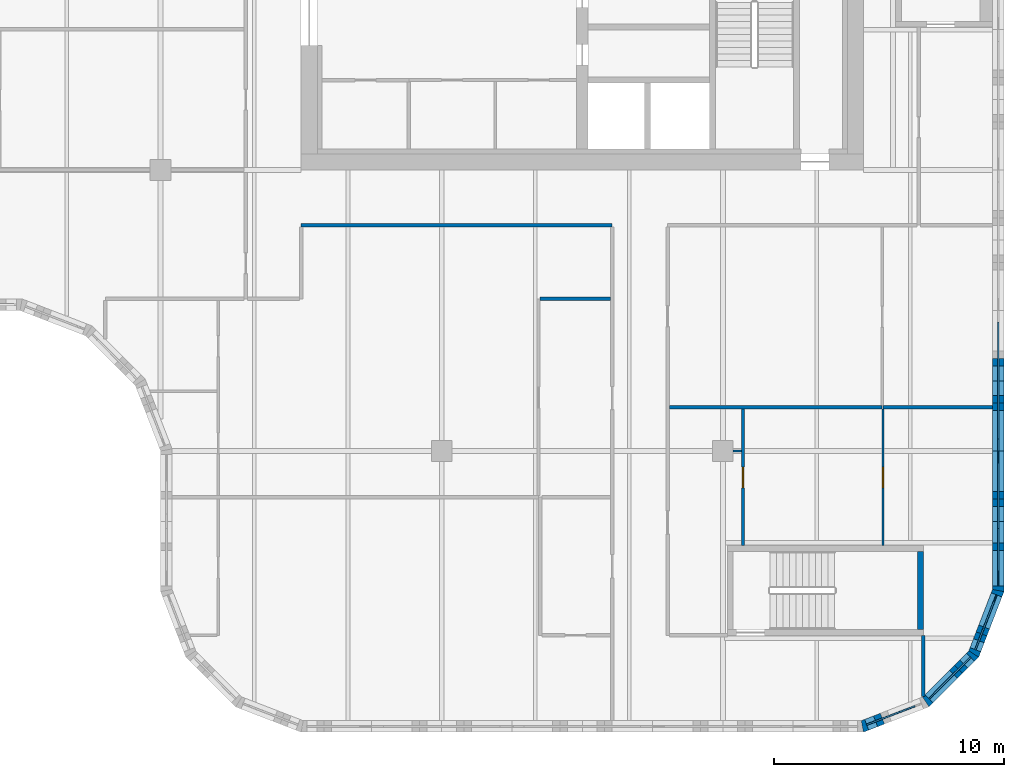
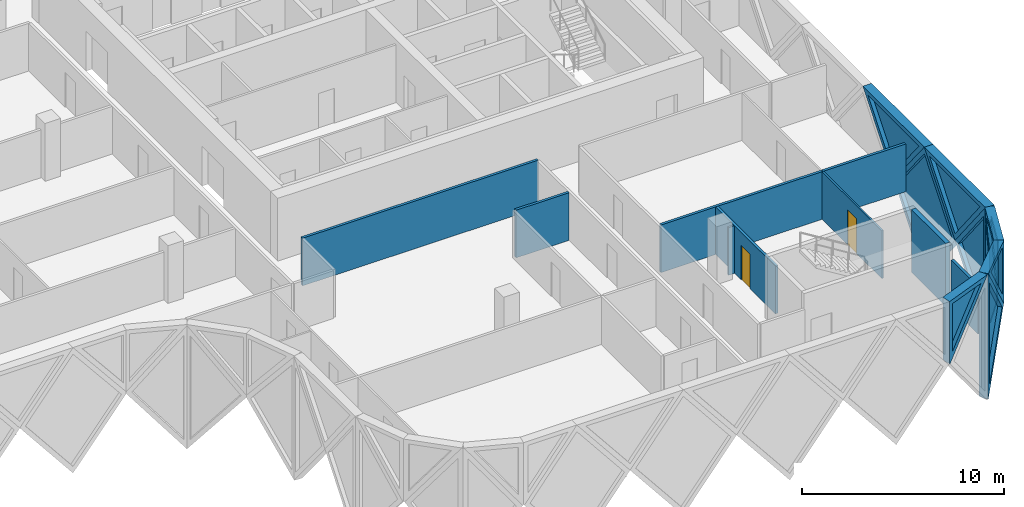
# One storey, part 7 of 15: 18 walls, 9 plates, 2 doors, 11 openings.
"""IFC4 building model written with IfcOpenShell, lengths in metres."""

from ifc_helpers import new_model, si_unit, direction, frame, frame_2d, origin, place, context, subcontext, project, spatial, polyline, rectangle, outline, extrude, faceted_brep, source, transform, mapped, material, layer, layer_set, type_object, element, fill, save


model = new_model("IFC4")

# Units and contexts
model_context = context("Model", 3, precision=1e-05, world=origin(), true_north=direction((0.0, 1.0)))
body_context = subcontext(model_context, "Body", "Model", "MODEL_VIEW")
ifc_project = project(units=[si_unit("LENGTHUNIT", "METRE"), si_unit("AREAUNIT", "SQUARE_METRE"), si_unit("VOLUMEUNIT", "CUBIC_METRE"), si_unit("PLANEANGLEUNIT", "RADIAN"), si_unit("MASSUNIT", "GRAM", prefix="KILO")], contexts=[model_context])

# Site, building, storey
site_placement = place(None, origin())
site = spatial("IfcSite", under=ifc_project, at=site_placement, CompositionType="ELEMENT")
building_placement = place(site_placement, origin())
building = spatial("IfcBuilding", under=site, at=building_placement, Name="Tessera Gate Towers", CompositionType="ELEMENT")
storey_placement = place(building_placement, frame((0.0, 0.0, 146.800048828125)))
storey = spatial("IfcBuildingStorey", under=building, at=storey_placement, Name="L36", CompositionType="ELEMENT", Elevation=146.800048828125)

# Walls
ifc_material_1 = material(Name="Concrete C40/50", Category="concrete")
ifc_layer_1 = layer(ifc_material_1, 0.25)
ifc_layer_set_1 = layer_set([ifc_layer_1], Name="CORE ENCLOSURE WALL 250")
wall_type_1 = type_object("IfcWallType", Name="CORE ENCLOSURE WALL 250", PredefinedType="SOLIDWALL", material=ifc_layer_set_1)
wall_1_placement = place(storey_placement, frame((57.375, 7.85009765625, 0.0), z_axis=(0.0, 0.0, 1.0), x_axis=(0.0, -1.0, 0.0)))
element("IfcWall", 1, at=wall_1_placement, inside=storey, type_object=wall_type_1, Name="L36 ST4 enclosure wall", PredefinedType="SOLIDWALL", context=body_context, shape_type="SweptSolid", body=[
    extrude(rectangle(XDim=3.400146484375, YDim=0.25, at=frame_2d((1.7001953125, 0.0))), origin(), (0.0, 0.0, 1.0), 3.800048828125),
])
ifc_material_2 = material(Name="Gypsum board on steel studs, mineral wool", Category="steel")
ifc_layer_2 = layer(ifc_material_2, 0.14990234375)
ifc_layer_set_2 = layer_set([ifc_layer_2], Name="CORRIDOR WALL 150")
wall_type_2 = type_object("IfcWallType", Name="CORRIDOR WALL 150", PredefinedType="PARTITIONING", material=ifc_layer_set_2)
wall_2_placement = place(storey_placement, frame((57.5, 1.55908203125, 0.0), z_axis=(0.0, 0.0, 1.0), x_axis=(0.0, 1.0, 0.0)))
element("IfcWall", 2, at=wall_2_placement, inside=storey, type_object=wall_type_2, Name="T1-L36-PW-002", PredefinedType="PARTITIONING", context=body_context, shape_type="SweptSolid", body=[
    extrude(rectangle(XDim=2.640869140625, YDim=0.14990234375, at=frame_2d((1.3203125, 0.0))), origin(), (0.0, 0.0, 1.0), 2.887939453125),
])
wall_3_placement = place(storey_placement, frame((30.5, 22.0, 0.0), z_axis=(0.0, 0.0, 1.0), x_axis=(1.0, 0.0, 0.0)))
element("IfcWall", 3, at=wall_3_placement, inside=storey, type_object=wall_type_2, Name="T1-L36-PW-027", PredefinedType="PARTITIONING", context=body_context, shape_type="SweptSolid", body=[
    extrude(rectangle(XDim=13.5, YDim=0.14990234375, at=frame_2d((6.75, 0.0))), origin(), (0.0, 0.0, 1.0), 2.887939453125),
])

# Wall, opening, door
ifc_material_3 = material(Name="Gypsum board on steel studs", Category="steel")
ifc_layer_3 = layer(ifc_material_3, 0.10009765625)
ifc_layer_set_3 = layer_set([ifc_layer_3], Name="PARTITION 100")
wall_type_3 = type_object("IfcWallType", Name="PARTITION 100", PredefinedType="PARTITIONING", material=ifc_layer_set_3)
wall_4_placement = place(storey_placement, frame((55.7470703125, 14.02392578125, 0.0), z_axis=(0.0, 0.0, 1.0), x_axis=(0.0, -1.0, 0.0)))
wall_4 = element("IfcWall", 4, at=wall_4_placement, inside=storey, type_object=wall_type_3, Name="T1-L36-PW-010", PredefinedType="PARTITIONING", context=body_context, shape_type="SweptSolid", body=[
    extrude(rectangle(XDim=5.923828125, YDim=0.10009765625, at=frame_2d((2.9619140625, 0.0))), origin(), (0.0, 0.0, 1.0), 2.887939453125),
])
shared_shape_1 = source(origin(), body_context, "Body", "SweptSolid", [
    extrude(rectangle(XDim=0.89990234375, YDim=2.10009765625, at=frame_2d((0.449951171875, 1.050048828125))), frame((0.0, 0.06005859375, 0.0), z_axis=(0.0, -1.0, 0.0), x_axis=(1.0, 0.0, 0.0)), (0.0, 0.0, 1.0), 0.1201171875),
])
opening_1_placement = place(wall_4_placement, frame((2.52392578125, 0.0, 0.0)))
opening_1 = element("IfcOpeningElement", 5, at=opening_1_placement, cuts=wall_4, Name="Opening D190-A13-07", PredefinedType="OPENING", context=body_context, shape_type="MappedRepresentation", body=[
    mapped(shared_shape_1, transform((0.0, 0.0, 0.0), scale=1.0)),
])
ifc_material_4 = material(Name="Timber door leaf in steel frame", Category="steel")
door_type = type_object("IfcDoorType", Name="INTERNAL DOOR 900 NOT RATED", OperationType="NOTDEFINED", PredefinedType="DOOR", material=ifc_material_4)
shared_shape_2 = source(origin(), body_context, "Body", "SweptSolid", [
    extrude(rectangle(XDim=0.89990234375, YDim=2.10009765625, at=frame_2d((0.449951171875, 1.050048828125))), frame((0.0, 0.02490234375, 0.0), z_axis=(0.0, -1.0, 0.0), x_axis=(1.0, 0.0, 0.0)), (0.0, 0.0, 1.0), 0.050048828125),
])
door_1_placement = place(opening_1_placement, origin())
door_1 = element("IfcDoor", 6, at=door_1_placement, inside=storey, type_object=door_type, Name="T1-L36-PD-012", OperationType="SINGLE_SWING_RIGHT", OverallHeight=2.10009765625, OverallWidth=0.89990234375, PredefinedType="DOOR", context=body_context, shape_type="MappedRepresentation", body=[
    mapped(shared_shape_2, transform((0.0, 0.0, 0.0), scale=1.0)),
])
fill(opening_1, door_1)

# Wall
wall_5_placement = place(storey_placement, frame((49.25, 12.199951171875, 0.0), z_axis=(0.0, 0.0, 1.0), x_axis=(1.0, 0.0, 0.0)))
element("IfcWall", 7, at=wall_5_placement, inside=storey, type_object=wall_type_3, Name="T1-L36-PW-015", PredefinedType="PARTITIONING", context=body_context, shape_type="SweptSolid", body=[
    extrude(rectangle(XDim=0.35009765625, YDim=0.10009765625, at=frame_2d((0.175048828125, 0.0))), origin(), (0.0, 0.0, 1.0), 2.887939453125),
])

# Wall, opening, door
ifc_material_5 = material(Name="Gypsum board on steel studs, mineral wool", Category="steel")
ifc_layer_4 = layer(ifc_material_5, 0.14990234375)
ifc_layer_set_4 = layer_set([ifc_layer_4], Name="TENANCY WALL 150")
wall_type_4 = type_object("IfcWallType", Name="TENANCY WALL 150", PredefinedType="PARTITIONING", material=ifc_layer_set_4)
wall_6_placement = place(storey_placement, frame((49.675048828125, 14.02392578125, 0.0), z_axis=(0.0, 0.0, 1.0), x_axis=(0.0, -1.0, 0.0)))
wall_6 = element("IfcWall", 8, at=wall_6_placement, inside=storey, type_object=wall_type_4, Name="T1-L36-PW-009", PredefinedType="PARTITIONING", context=body_context, shape_type="SweptSolid", body=[
    extrude(rectangle(XDim=5.923828125, YDim=0.14990234375, at=frame_2d((2.9619140625, 0.0))), origin(), (0.0, 0.0, 1.0), 2.887939453125),
])
shared_shape_3 = source(origin(), body_context, "Body", "SweptSolid", [
    extrude(rectangle(XDim=0.89990234375, YDim=2.10009765625, at=frame_2d((0.449951171875, 1.050048828125))), frame((0.0, 0.0849609375, 0.0), z_axis=(0.0, -1.0, 0.0), x_axis=(1.0, 0.0, 0.0)), (0.0, 0.0, 1.0), 0.169921875),
])
opening_2_placement = place(wall_6_placement, frame((2.52392578125, 0.0, 0.0)))
opening_2 = element("IfcOpeningElement", 9, at=opening_2_placement, cuts=wall_6, Name="Opening D190-A13-06", PredefinedType="OPENING", context=body_context, shape_type="MappedRepresentation", body=[
    mapped(shared_shape_3, transform((0.0, 0.0, 0.0), scale=1.0)),
])
door_2_placement = place(opening_2_placement, origin())
door_2 = element("IfcDoor", 10, at=door_2_placement, inside=storey, type_object=door_type, Name="T1-L36-PD-011", OperationType="SINGLE_SWING_RIGHT", OverallHeight=2.10009765625, OverallWidth=0.89990234375, PredefinedType="DOOR", context=body_context, shape_type="MappedRepresentation", body=[
    mapped(shared_shape_2, transform((0.0, 0.0, 0.0), scale=1.0)),
])
fill(opening_2, door_2)

# Walls
wall_7_placement = place(storey_placement, frame((46.47607421875, 14.10009765625, 0.0), z_axis=(0.0, 0.0, 1.0), x_axis=(1.0, 0.0, 0.0)))
element("IfcWall", 11, at=wall_7_placement, inside=storey, type_object=wall_type_4, Name="T1-L36-PW-016", PredefinedType="PARTITIONING", context=body_context, shape_type="SweptSolid", body=[
    extrude(rectangle(XDim=9.239013671875, YDim=0.14990234375, at=frame_2d((4.61962890625, 0.0))), origin(), (0.0, 0.0, 1.0), 2.887939453125),
])
wall_8_placement = place(storey_placement, frame((55.7470703125, 14.10009765625, 0.0), z_axis=(0.0, 0.0, 1.0), x_axis=(1.0, 0.0, 0.0)))
element("IfcWall", 12, at=wall_8_placement, inside=storey, type_object=wall_type_4, Name="T1-L36-PW-017", PredefinedType="PARTITIONING", context=body_context, shape_type="SweptSolid", body=[
    extrude(rectangle(XDim=4.7529296875, YDim=0.14990234375, at=frame_2d((2.37646484375, 0.0))), origin(), (0.0, 0.0, 1.0), 2.887939453125),
])
wall_9_placement = place(storey_placement, frame((40.8759765625, 18.800048828125, 0.0), z_axis=(0.0, 0.0, 1.0), x_axis=(1.0, 0.0, 0.0)))
element("IfcWall", 13, at=wall_9_placement, inside=storey, type_object=wall_type_4, Name="T1-L36-PW-025", PredefinedType="PARTITIONING", context=body_context, shape_type="SweptSolid", body=[
    extrude(rectangle(XDim=3.048095703125, YDim=0.14990234375, at=frame_2d((1.52392578125, 0.0))), origin(), (0.0, 0.0, 1.0), 2.887939453125),
])

# Wall, opening, plate
ifc_material_6 = material(Name="Precast concrete C60/75 white", Category="concrete")
ifc_layer_5 = layer(ifc_material_6, 0.5)
ifc_layer_set_5 = layer_set([ifc_layer_5], Name="TS1 tessera")
wall_type_5 = type_object("IfcWallType", Name="TS1 tessera", PredefinedType="SOLIDWALL", material=ifc_layer_set_5)
shared_shape_4 = source(origin(), body_context, "Body", "SweptSolid", [
    extrude(outline(polyline([(3.050048828125, 0.0), (6.10009765625, 3.800048828125), (3.050048828125, 7.60009765625), (0.0, 3.800048828125), (3.050048828125, 0.0)])), frame((0.0, 0.25, 0.0), z_axis=(0.0, -1.0, 0.0), x_axis=(1.0, 0.0, 0.0)), (0.0, 0.0, 1.0), 0.5),
])
wall_10_placement = place(storey_placement, frame((60.75, 9.14990234375, -3.800048828125), z_axis=(0.0, 0.0, 1.0), x_axis=(0.0, 1.0, 0.0)))
wall_10 = element("IfcWall", 14, at=wall_10_placement, inside=storey, type_object=wall_type_5, Name="Precast tessera T1 TS1-0625", PredefinedType="SOLIDWALL", context=body_context, shape_type="MappedRepresentation", body=[
    mapped(shared_shape_4, transform((0.0, 0.0, 0.0), scale=1.0)),
])
shared_shape_5 = source(origin(), body_context, "Body", "SweptSolid", [
    extrude(outline(polyline([(3.050048828125, 0.3994140625), (5.779541015625, 3.800048828125), (3.050048828125, 7.20068359375), (0.320556640625, 3.800048828125), (3.050048828125, 0.3994140625)])), frame((0.0, 0.260009765625, 0.0), z_axis=(0.0, -1.0, 0.0), x_axis=(1.0, 0.0, 0.0)), (0.0, 0.0, 1.0), 0.52001953125),
])
opening_3_placement = place(wall_10_placement, origin())
opening_3 = element("IfcOpeningElement", 15, at=opening_3_placement, cuts=wall_10, Name="Opening T1-PL2-1277", PredefinedType="OPENING", context=body_context, shape_type="MappedRepresentation", body=[
    mapped(shared_shape_5, transform((0.0, 0.0, 0.0), scale=1.0)),
])
ifc_material_7 = material(Name="Low-e laminated glass", Category="glass")
ifc_layer_6 = layer(ifc_material_7, 0.06005859375)
ifc_layer_set_6 = layer_set([ifc_layer_6], Name="PL2 rhombic pane")
plate_type_1 = type_object("IfcPlateType", Name="PL2 rhombic pane", PredefinedType="SHEET", material=ifc_layer_set_6)
shared_shape_6 = source(origin(), body_context, "Body", "SweptSolid", [
    extrude(outline(polyline([(3.050048828125, 0.3994140625), (5.779541015625, 3.800048828125), (3.050048828125, 7.20068359375), (0.320556640625, 3.800048828125), (3.050048828125, 0.3994140625)])), frame((0.0, 0.030029296875, 0.0), z_axis=(0.0, -1.0, 0.0), x_axis=(1.0, 0.0, 0.0)), (0.0, 0.0, 1.0), 0.06005859375),
])
plate_1_placement = place(opening_3_placement, origin())
plate_1 = element("IfcPlate", 16, at=plate_1_placement, inside=storey, type_object=plate_type_1, Name="Glass pane T1 PL2-1277", PredefinedType="SHEET", context=body_context, shape_type="MappedRepresentation", body=[
    mapped(shared_shape_6, transform((0.0, 0.0, 0.0), scale=1.0)),
])
fill(opening_3, plate_1)

ifc_material_8 = material(Name="Precast concrete C60/75 white", Category="concrete")
ifc_layer_7 = layer(ifc_material_8, 0.5)
ifc_layer_set_7 = layer_set([ifc_layer_7], Name="TS3 corner tessera")
wall_type_6 = type_object("IfcWallType", Name="TS3 corner tessera", PredefinedType="SOLIDWALL", material=ifc_layer_set_7)
shared_shape_7 = source(origin(), body_context, "Body", "Brep", [
    faceted_brep([(0.052978515625, -0.25, 0.0), (2.9970703125, -0.25, 3.800048828125), (0.052978515625, -0.25, 7.60009765625), (0.0, -0.25, 7.531982421875), (0.0, -0.25, 0.068115234375), (0.10595703125, 0.25, 7.53173828125), (2.944091796875, 0.25, 3.8681640625), (2.944091796875, 0.25, 3.73193359375), (0.10595703125, 0.25, 0.068359375), (2.9970703125, 0.000244140625, 3.800048828125), (0.052978515625, 0.0, 0.0), (0.052978515625, 0.0, 7.60009765625)], [[[0, 1, 2, 3, 4]], [[5, 6, 7, 8]], [[8, 7, 9, 1, 0, 10]], [[6, 5, 11, 2, 1, 9]], [[3, 2, 11]], [[10, 0, 4]], [[8, 10, 4, 3, 11, 5]], [[9, 7, 6]]]),
])
wall_11_placement = place(storey_placement, frame((57.56884765625, 1.2744140625, -3.800048828125), z_axis=(0.0, 0.0, 1.0), x_axis=(0.707066050402, 0.707147509625, 0.0)))
wall_11 = element("IfcWall", 17, at=wall_11_placement, inside=storey, type_object=wall_type_6, Name="Precast corner tessera T1 TS3-0818", PredefinedType="SOLIDWALL", context=body_context, shape_type="MappedRepresentation", body=[
    mapped(shared_shape_7, transform((0.0, 0.0, 0.0), scale=1.0)),
])
shared_shape_8 = source(origin(), body_context, "Body", "SweptSolid", [
    extrude(outline(polyline([(0.2529296875, 0.666259765625), (2.680908203125, 3.800048828125), (0.2529296875, 6.93359375), (0.2529296875, 0.666259765625)])), frame((0.0, 0.260009765625, 0.0), z_axis=(0.0, -1.0, 0.0), x_axis=(1.0, 0.0, 0.0)), (0.0, 0.0, 1.0), 0.52001953125),
])
opening_4_placement = place(wall_11_placement, origin())
opening_4 = element("IfcOpeningElement", 18, at=opening_4_placement, cuts=wall_11, Name="Opening T1-PL2-1274", PredefinedType="OPENING", context=body_context, shape_type="MappedRepresentation", body=[
    mapped(shared_shape_8, transform((0.0, 0.0, 0.0), scale=1.0)),
])
shared_shape_9 = source(origin(), body_context, "Body", "SweptSolid", [
    extrude(outline(polyline([(0.2529296875, 0.666259765625), (2.680908203125, 3.800048828125), (0.2529296875, 6.93359375), (0.2529296875, 0.666259765625)])), frame((0.0, 0.030029296875, 0.0), z_axis=(0.0, -1.0, 0.0), x_axis=(1.0, 0.0, 0.0)), (0.0, 0.0, 1.0), 0.06005859375),
])
plate_2_placement = place(opening_4_placement, origin())
plate_2 = element("IfcPlate", 19, at=plate_2_placement, inside=storey, type_object=plate_type_1, Name="Glass pane T1 PL2-1274", PredefinedType="SHEET", context=body_context, shape_type="MappedRepresentation", body=[
    mapped(shared_shape_9, transform((0.0, 0.0, 0.0), scale=1.0)),
])
fill(opening_4, plate_2)

shared_shape_10 = source(origin(), body_context, "Body", "Brep", [
    faceted_brep([(2.950439453125, -0.25, 0.0), (2.9970703125, -0.25, 0.05908203125), (2.9970703125, -0.25, 7.541015625), (2.950439453125, -0.25, 7.60009765625), (0.0, -0.25, 3.800048828125), (0.052978515625, 0.25, 3.8681640625), (2.904052734375, 0.25, 7.540283203125), (2.904052734375, 0.25, 0.059814453125), (0.052978515625, 0.25, 3.73193359375), (2.950439453125, 0.00048828125, 0.0), (2.950439453125, 0.00048828125, 7.60009765625), (0.0, 0.0, 3.800048828125)], [[[0, 1, 2, 3, 4]], [[5, 6, 7, 8]], [[1, 0, 9]], [[10, 3, 2]], [[6, 5, 11, 4, 3, 10]], [[8, 7, 9, 0, 4, 11]], [[8, 11, 5]], [[1, 9, 7, 6, 10, 2]]]),
])
wall_12_placement = place(storey_placement, frame((59.68798828125, 3.393798828125, -3.800048828125), z_axis=(0.0, 0.0, 1.0), x_axis=(0.359972353723, 0.932962970624, 0.0)))
wall_12 = element("IfcWall", 20, at=wall_12_placement, inside=storey, type_object=wall_type_6, Name="Precast corner tessera T1 TS3-0819", PredefinedType="SOLIDWALL", context=body_context, shape_type="MappedRepresentation", body=[
    mapped(shared_shape_10, transform((0.0, 0.0, 0.0), scale=1.0)),
])
shared_shape_11 = source(origin(), body_context, "Body", "SweptSolid", [
    extrude(outline(polyline([(2.75048828125, 6.934814453125), (0.31640625, 3.800048828125), (2.75048828125, 0.665283203125), (2.75048828125, 6.934814453125)])), frame((0.0, 0.260009765625, 0.0), z_axis=(0.0, -1.0, 0.0), x_axis=(1.0, 0.0, 0.0)), (0.0, 0.0, 1.0), 0.52001953125),
])
opening_5_placement = place(wall_12_placement, origin())
opening_5 = element("IfcOpeningElement", 21, at=opening_5_placement, cuts=wall_12, Name="Opening T1-PL2-1275", PredefinedType="OPENING", context=body_context, shape_type="MappedRepresentation", body=[
    mapped(shared_shape_11, transform((0.0, 0.0, 0.0), scale=1.0)),
])
shared_shape_12 = source(origin(), body_context, "Body", "SweptSolid", [
    extrude(outline(polyline([(2.75048828125, 6.934814453125), (0.31640625, 3.800048828125), (2.75048828125, 0.665283203125), (2.75048828125, 6.934814453125)])), frame((0.0, 0.030029296875, 0.0), z_axis=(0.0, -1.0, 0.0), x_axis=(1.0, 0.0, 0.0)), (0.0, 0.0, 1.0), 0.06005859375),
])
plate_3_placement = place(opening_5_placement, origin())
plate_3 = element("IfcPlate", 22, at=plate_3_placement, inside=storey, type_object=plate_type_1, Name="Glass pane T1 PL2-1275", PredefinedType="SHEET", context=body_context, shape_type="MappedRepresentation", body=[
    mapped(shared_shape_12, transform((0.0, 0.0, 0.0), scale=1.0)),
])
fill(opening_5, plate_3)

shared_shape_13 = source(origin(), body_context, "Body", "Brep", [
    faceted_brep([(0.046630859375, -0.25, 0.0), (3.050048828125, -0.25, 3.800048828125), (0.046630859375, -0.25, 7.60009765625), (0.0, -0.25, 7.5400390625), (0.0, -0.25, 0.06005859375), (0.09326171875, 0.25, 7.541259765625), (3.050048828125, 0.25, 3.800048828125), (0.09326171875, 0.25, 0.058837890625), (0.046630859375, 0.0, 0.0), (0.046630859375, 0.0, 7.60009765625)], [[[0, 1, 2, 3, 4]], [[5, 6, 7]], [[7, 6, 1, 0, 8]], [[6, 5, 9, 2, 1]], [[3, 2, 9]], [[8, 0, 4]], [[7, 8, 4, 3, 9, 5]]]),
])
wall_13_placement = place(storey_placement, frame((60.75, 6.099853515625, -3.800048828125), z_axis=(0.0, 0.0, 1.0), x_axis=(0.0, 1.0, 0.0)))
wall_13 = element("IfcWall", 23, at=wall_13_placement, inside=storey, type_object=wall_type_6, Name="Precast corner tessera T1 TS3-0820", PredefinedType="SOLIDWALL", context=body_context, shape_type="MappedRepresentation", body=[
    mapped(shared_shape_13, transform((0.0, 0.0, 0.0), scale=1.0)),
])
shared_shape_14 = source(origin(), body_context, "Body", "SweptSolid", [
    extrude(outline(polyline([(0.24658203125, 0.65625), (2.7314453125, 3.800048828125), (0.24658203125, 6.94384765625), (0.24658203125, 0.65625)])), frame((0.0, 0.260009765625, 0.0), z_axis=(0.0, -1.0, 0.0), x_axis=(1.0, 0.0, 0.0)), (0.0, 0.0, 1.0), 0.52001953125),
])
opening_6_placement = place(wall_13_placement, origin())
opening_6 = element("IfcOpeningElement", 24, at=opening_6_placement, cuts=wall_13, Name="Opening T1-PL2-1276", PredefinedType="OPENING", context=body_context, shape_type="MappedRepresentation", body=[
    mapped(shared_shape_14, transform((0.0, 0.0, 0.0), scale=1.0)),
])
shared_shape_15 = source(origin(), body_context, "Body", "SweptSolid", [
    extrude(outline(polyline([(0.24658203125, 0.65625), (2.7314453125, 3.800048828125), (0.24658203125, 6.94384765625), (0.24658203125, 0.65625)])), frame((0.0, 0.030029296875, 0.0), z_axis=(0.0, -1.0, 0.0), x_axis=(1.0, 0.0, 0.0)), (0.0, 0.0, 1.0), 0.06005859375),
])
plate_4_placement = place(opening_6_placement, origin())
plate_4 = element("IfcPlate", 25, at=plate_4_placement, inside=storey, type_object=plate_type_1, Name="Glass pane T1 PL2-1276", PredefinedType="SHEET", context=body_context, shape_type="MappedRepresentation", body=[
    mapped(shared_shape_15, transform((0.0, 0.0, 0.0), scale=1.0)),
])
fill(opening_6, plate_4)

ifc_material_9 = material(Name="Precast concrete C60/75 white", Category="concrete")
ifc_layer_8 = layer(ifc_material_9, 0.5)
ifc_layer_set_8 = layer_set([ifc_layer_8], Name="TS2 half tessera")
wall_type_7 = type_object("IfcWallType", Name="TS2 half tessera", PredefinedType="SOLIDWALL", material=ifc_layer_set_8)
shared_shape_16 = source(origin(), body_context, "Body", "SweptSolid", [
    extrude(outline(polyline([(3.050048828125, 0.0), (6.10009765625, 3.800048828125), (0.0, 3.800048828125), (3.050048828125, 0.0)])), frame((0.0, 0.25, 0.0), z_axis=(0.0, -1.0, 0.0), x_axis=(1.0, 0.0, 0.0)), (0.0, 0.0, 1.0), 0.5),
])
wall_14_placement = place(storey_placement, frame((60.75, 12.199951171875, 0.0), z_axis=(0.0, 0.0, 1.0), x_axis=(0.0, 1.0, 0.0)))
wall_14 = element("IfcWall", 26, at=wall_14_placement, inside=storey, type_object=wall_type_7, Name="Precast half tessera T1 TS2-0165", PredefinedType="SOLIDWALL", context=body_context, shape_type="MappedRepresentation", body=[
    mapped(shared_shape_16, transform((0.0, 0.0, 0.0), scale=1.0)),
])
shared_shape_17 = source(origin(), body_context, "Body", "SweptSolid", [
    extrude(outline(polyline([(3.050048828125, 0.3994140625), (5.578857421875, 3.550048828125), (0.521240234375, 3.550048828125), (3.050048828125, 0.3994140625)])), frame((0.0, 0.260009765625, 0.0), z_axis=(0.0, -1.0, 0.0), x_axis=(1.0, 0.0, 0.0)), (0.0, 0.0, 1.0), 0.52001953125),
])
opening_7_placement = place(wall_14_placement, origin())
opening_7 = element("IfcOpeningElement", 27, at=opening_7_placement, cuts=wall_14, Name="Opening T1-PL1-0339", PredefinedType="OPENING", context=body_context, shape_type="MappedRepresentation", body=[
    mapped(shared_shape_17, transform((0.0, 0.0, 0.0), scale=1.0)),
])
ifc_material_10 = material(Name="Low-e laminated glass", Category="glass")
ifc_layer_9 = layer(ifc_material_10, 0.06005859375)
ifc_layer_set_9 = layer_set([ifc_layer_9], Name="PL1 triangular pane")
plate_type_2 = type_object("IfcPlateType", Name="PL1 triangular pane", PredefinedType="SHEET", material=ifc_layer_set_9)
shared_shape_18 = source(origin(), body_context, "Body", "SweptSolid", [
    extrude(outline(polyline([(3.050048828125, 0.3994140625), (5.578857421875, 3.550048828125), (0.521240234375, 3.550048828125), (3.050048828125, 0.3994140625)])), frame((0.0, 0.030029296875, 0.0), z_axis=(0.0, -1.0, 0.0), x_axis=(1.0, 0.0, 0.0)), (0.0, 0.0, 1.0), 0.06005859375),
])
plate_5_placement = place(opening_7_placement, origin())
plate_5 = element("IfcPlate", 28, at=plate_5_placement, inside=storey, type_object=plate_type_2, Name="Glass pane T1 PL1-0339", PredefinedType="SHEET", context=body_context, shape_type="MappedRepresentation", body=[
    mapped(shared_shape_18, transform((0.0, 0.0, 0.0), scale=1.0)),
])
fill(opening_7, plate_5)

shared_shape_19 = source(origin(), body_context, "Body", "Brep", [
    faceted_brep([(0.046630859375, -0.25, 0.0), (2.9970703125, -0.25, 3.800048828125), (0.0, -0.25, 3.800048828125), (0.0, -0.25, 0.058837890625), (0.09326171875, 0.25, 3.800048828125), (2.9443359375, 0.25, 3.800048828125), (2.9443359375, 0.25, 3.73193359375), (0.09326171875, 0.25, 0.06005859375), (2.9970703125, 0.00048828125, 3.800048828125), (0.046630859375, 0.0, 0.0)], [[[0, 1, 2, 3]], [[4, 5, 6, 7]], [[7, 6, 8, 1, 0, 9]], [[5, 4, 2, 1, 8]], [[9, 0, 3]], [[7, 9, 3, 2, 4]], [[6, 5, 8]]]),
])
wall_15_placement = place(storey_placement, frame((54.81005859375, 0.233154296875, 0.0), z_axis=(0.0, 0.0, 1.0), x_axis=(0.932990326376, 0.359901446078, 0.0)))
wall_15 = element("IfcWall", 29, at=wall_15_placement, inside=storey, type_object=wall_type_6, Name="Precast corner tessera T1 TS3-0844", PredefinedType="SOLIDWALL", context=body_context, shape_type="MappedRepresentation", body=[
    mapped(shared_shape_19, transform((0.0, 0.0, 0.0), scale=1.0)),
])
shared_shape_20 = source(origin(), body_context, "Body", "SweptSolid", [
    extrude(outline(polyline([(0.24658203125, 0.665283203125), (2.486572265625, 3.550048828125), (0.24658203125, 3.550048828125), (0.24658203125, 0.665283203125)])), frame((0.0, 0.260009765625, 0.0), z_axis=(0.0, -1.0, 0.0), x_axis=(1.0, 0.0, 0.0)), (0.0, 0.0, 1.0), 0.52001953125),
])
opening_8_placement = place(wall_15_placement, origin())
opening_8 = element("IfcOpeningElement", 30, at=opening_8_placement, cuts=wall_15, Name="Opening T1-PL1-0335", PredefinedType="OPENING", context=body_context, shape_type="MappedRepresentation", body=[
    mapped(shared_shape_20, transform((0.0, 0.0, 0.0), scale=1.0)),
])
shared_shape_21 = source(origin(), body_context, "Body", "SweptSolid", [
    extrude(outline(polyline([(0.24658203125, 0.665283203125), (2.486572265625, 3.550048828125), (0.24658203125, 3.550048828125), (0.24658203125, 0.665283203125)])), frame((0.0, 0.030029296875, 0.0), z_axis=(0.0, -1.0, 0.0), x_axis=(1.0, 0.0, 0.0)), (0.0, 0.0, 1.0), 0.06005859375),
])
plate_6_placement = place(opening_8_placement, origin())
plate_6 = element("IfcPlate", 31, at=plate_6_placement, inside=storey, type_object=plate_type_2, Name="Glass pane T1 PL1-0335", PredefinedType="SHEET", context=body_context, shape_type="MappedRepresentation", body=[
    mapped(shared_shape_21, transform((0.0, 0.0, 0.0), scale=1.0)),
])
fill(opening_8, plate_6)

shared_shape_22 = source(origin(), body_context, "Body", "Brep", [
    faceted_brep([(2.944091796875, -0.25, 0.0), (2.9970703125, -0.25, 0.068115234375), (2.9970703125, -0.25, 3.800048828125), (0.0, -0.25, 3.800048828125), (0.052978515625, 0.25, 3.800048828125), (2.89111328125, 0.25, 3.800048828125), (2.89111328125, 0.25, 0.068115234375), (0.052978515625, 0.25, 3.731689453125), (2.944091796875, 0.000244140625, 0.0), (0.0, 0.0, 3.800048828125)], [[[0, 1, 2, 3]], [[4, 5, 6, 7]], [[1, 0, 8]], [[5, 4, 9, 3, 2]], [[7, 6, 8, 0, 3, 9]], [[7, 9, 4]], [[1, 8, 6, 5, 2]]]),
])
wall_16_placement = place(storey_placement, frame((57.606201171875, 1.31201171875, 0.0), z_axis=(0.0, 0.0, 1.0), x_axis=(0.707147509625, 0.707066050402, 0.0)))
wall_16 = element("IfcWall", 32, at=wall_16_placement, inside=storey, type_object=wall_type_6, Name="Precast corner tessera T1 TS3-0845", PredefinedType="SOLIDWALL", context=body_context, shape_type="MappedRepresentation", body=[
    mapped(shared_shape_22, transform((0.0, 0.0, 0.0), scale=1.0)),
])
shared_shape_23 = source(origin(), body_context, "Body", "SweptSolid", [
    extrude(outline(polyline([(2.744140625, 3.550048828125), (0.510009765625, 3.550048828125), (2.744140625, 0.666259765625), (2.744140625, 3.550048828125)])), frame((0.0, 0.260009765625, 0.0), z_axis=(0.0, -1.0, 0.0), x_axis=(1.0, 0.0, 0.0)), (0.0, 0.0, 1.0), 0.52001953125),
])
opening_9_placement = place(wall_16_placement, origin())
opening_9 = element("IfcOpeningElement", 33, at=opening_9_placement, cuts=wall_16, Name="Opening T1-PL1-0336", PredefinedType="OPENING", context=body_context, shape_type="MappedRepresentation", body=[
    mapped(shared_shape_23, transform((0.0, 0.0, 0.0), scale=1.0)),
])
shared_shape_24 = source(origin(), body_context, "Body", "SweptSolid", [
    extrude(outline(polyline([(2.744140625, 3.550048828125), (0.510009765625, 3.550048828125), (2.744140625, 0.666259765625), (2.744140625, 3.550048828125)])), frame((0.0, 0.030029296875, 0.0), z_axis=(0.0, -1.0, 0.0), x_axis=(1.0, 0.0, 0.0)), (0.0, 0.0, 1.0), 0.06005859375),
])
plate_7_placement = place(opening_9_placement, origin())
plate_7 = element("IfcPlate", 34, at=plate_7_placement, inside=storey, type_object=plate_type_2, Name="Glass pane T1 PL1-0336", PredefinedType="SHEET", context=body_context, shape_type="MappedRepresentation", body=[
    mapped(shared_shape_24, transform((0.0, 0.0, 0.0), scale=1.0)),
])
fill(opening_9, plate_7)

shared_shape_25 = source(origin(), body_context, "Body", "Brep", [
    faceted_brep([(0.052978515625, -0.25, 0.0), (3.00341796875, -0.25, 3.800048828125), (0.0, -0.25, 3.800048828125), (0.0, -0.25, 0.068359375), (0.10595703125, 0.25, 3.800048828125), (2.95703125, 0.25, 3.800048828125), (2.95703125, 0.25, 3.740234375), (0.10595703125, 0.25, 0.068115234375), (3.00341796875, 0.00048828125, 3.800048828125), (0.052978515625, 0.0, 0.0)], [[[0, 1, 2, 3]], [[4, 5, 6, 7]], [[7, 6, 8, 1, 0, 9]], [[5, 4, 2, 1, 8]], [[9, 0, 3]], [[7, 9, 3, 2, 4]], [[6, 5, 8]]]),
])
wall_17_placement = place(storey_placement, frame((59.6689453125, 3.34423828125, 0.0), z_axis=(0.0, 0.0, 1.0), x_axis=(0.35992665181, 0.932980602862, 0.0)))
wall_17 = element("IfcWall", 35, at=wall_17_placement, inside=storey, type_object=wall_type_6, Name="Precast corner tessera T1 TS3-0846", PredefinedType="SOLIDWALL", context=body_context, shape_type="MappedRepresentation", body=[
    mapped(shared_shape_25, transform((0.0, 0.0, 0.0), scale=1.0)),
])
shared_shape_26 = source(origin(), body_context, "Body", "SweptSolid", [
    extrude(outline(polyline([(0.2529296875, 0.665283203125), (2.492919921875, 3.550048828125), (0.2529296875, 3.550048828125), (0.2529296875, 0.665283203125)])), frame((0.0, 0.260009765625, 0.0), z_axis=(0.0, -1.0, 0.0), x_axis=(1.0, 0.0, 0.0)), (0.0, 0.0, 1.0), 0.52001953125),
])
opening_10_placement = place(wall_17_placement, origin())
opening_10 = element("IfcOpeningElement", 36, at=opening_10_placement, cuts=wall_17, Name="Opening T1-PL1-0337", PredefinedType="OPENING", context=body_context, shape_type="MappedRepresentation", body=[
    mapped(shared_shape_26, transform((0.0, 0.0, 0.0), scale=1.0)),
])
shared_shape_27 = source(origin(), body_context, "Body", "SweptSolid", [
    extrude(outline(polyline([(0.2529296875, 0.665283203125), (2.492919921875, 3.550048828125), (0.2529296875, 3.550048828125), (0.2529296875, 0.665283203125)])), frame((0.0, 0.030029296875, 0.0), z_axis=(0.0, -1.0, 0.0), x_axis=(1.0, 0.0, 0.0)), (0.0, 0.0, 1.0), 0.06005859375),
])
plate_8_placement = place(opening_10_placement, origin())
plate_8 = element("IfcPlate", 37, at=plate_8_placement, inside=storey, type_object=plate_type_2, Name="Glass pane T1 PL1-0337", PredefinedType="SHEET", context=body_context, shape_type="MappedRepresentation", body=[
    mapped(shared_shape_27, transform((0.0, 0.0, 0.0), scale=1.0)),
])
fill(opening_10, plate_8)

shared_shape_28 = source(origin(), body_context, "Body", "Brep", [
    faceted_brep([(3.00341796875, -0.25, 0.0), (6.053466796875, -0.25, 3.800048828125), (0.0, -0.25, 3.800048828125), (0.046630859375, 0.25, 3.800048828125), (6.053466796875, 0.25, 3.800048828125), (3.00341796875, 0.25, 0.0), (0.046630859375, 0.25, 3.7412109375), (0.0, 0.0, 3.800048828125)], [[[0, 1, 2]], [[3, 4, 5, 6]], [[5, 4, 1, 0]], [[4, 3, 7, 2, 1]], [[6, 5, 0, 2, 7]], [[6, 7, 3]]]),
])
wall_18_placement = place(storey_placement, frame((60.75, 6.146484375, 0.0), z_axis=(0.0, 0.0, 1.0), x_axis=(0.0, 1.0, 0.0)))
wall_18 = element("IfcWall", 38, at=wall_18_placement, inside=storey, type_object=wall_type_7, Name="Precast half tessera T1 TS2-0164", PredefinedType="SOLIDWALL", context=body_context, shape_type="MappedRepresentation", body=[
    mapped(shared_shape_28, transform((0.0, 0.0, 0.0), scale=1.0)),
])
shared_shape_29 = source(origin(), body_context, "Body", "SweptSolid", [
    extrude(outline(polyline([(3.0048828125, 0.401123046875), (5.5322265625, 3.550048828125), (0.516357421875, 3.550048828125), (3.0048828125, 0.401123046875)])), frame((0.0, 0.260009765625, 0.0), z_axis=(0.0, -1.0, 0.0), x_axis=(1.0, 0.0, 0.0)), (0.0, 0.0, 1.0), 0.52001953125),
])
opening_11_placement = place(wall_18_placement, origin())
opening_11 = element("IfcOpeningElement", 39, at=opening_11_placement, cuts=wall_18, Name="Opening T1-PL1-0338", PredefinedType="OPENING", context=body_context, shape_type="MappedRepresentation", body=[
    mapped(shared_shape_29, transform((0.0, 0.0, 0.0), scale=1.0)),
])
shared_shape_30 = source(origin(), body_context, "Body", "SweptSolid", [
    extrude(outline(polyline([(3.0048828125, 0.401123046875), (5.5322265625, 3.550048828125), (0.516357421875, 3.550048828125), (3.0048828125, 0.401123046875)])), frame((0.0, 0.030029296875, 0.0), z_axis=(0.0, -1.0, 0.0), x_axis=(1.0, 0.0, 0.0)), (0.0, 0.0, 1.0), 0.06005859375),
])
plate_9_placement = place(opening_11_placement, origin())
plate_9 = element("IfcPlate", 40, at=plate_9_placement, inside=storey, type_object=plate_type_2, Name="Glass pane T1 PL1-0338", PredefinedType="SHEET", context=body_context, shape_type="MappedRepresentation", body=[
    mapped(shared_shape_30, transform((0.0, 0.0, 0.0), scale=1.0)),
])
fill(opening_11, plate_9)

save(model, "model.ifc")
